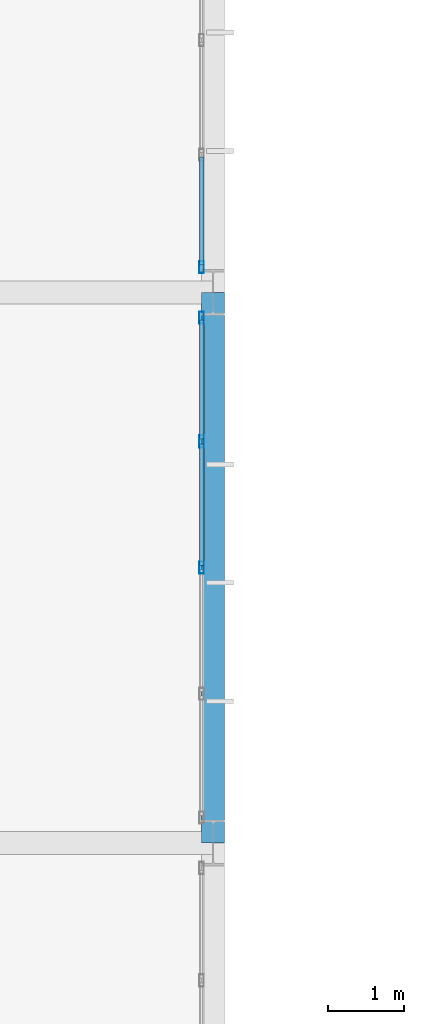
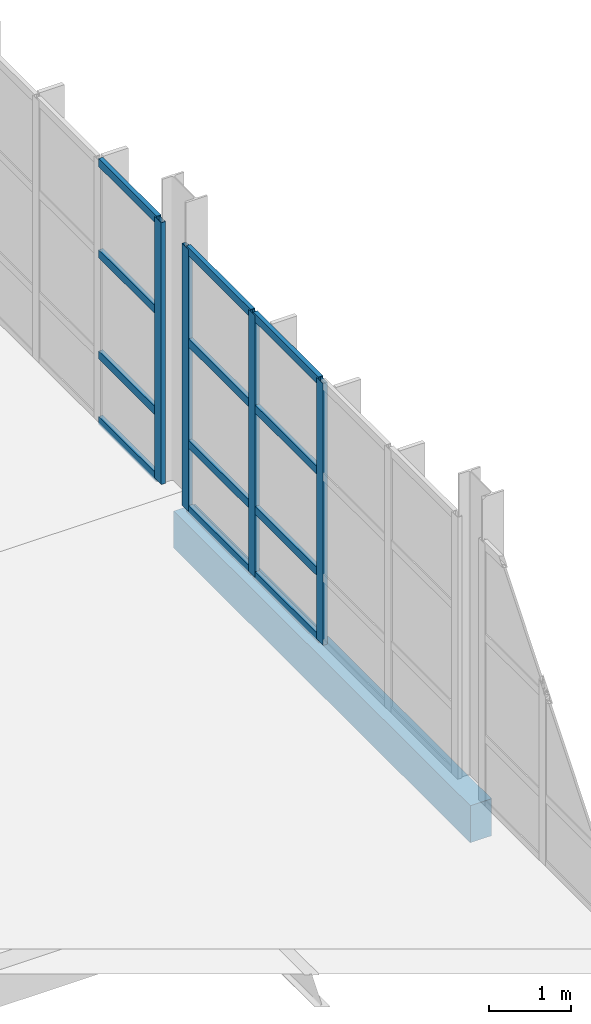
# One storey, part 86 of 130: 16 members, 1 beam, 2 elements without a shape of their own.
"""IFC4 building model written with IfcOpenShell, lengths in metres."""

import ifcopenshell
import ifcopenshell.guid

model = None  # the IFC model being written
_history = None  # IfcOwnerHistory: only IFC2X3 demands one
_inside = {}  # id of a spatial element -> (the spatial element, [elements in it])
_under = {}  # id of a project, library or spatial element -> (it, [spatial elements below it])
_declared = {}  # id of a project -> (the project, [libraries it declares])
_typed = {}  # id of a type object -> (the type object, [elements of that type])
_made_of = {}  # id of a material, layer set ... -> (it, [elements and type objects made of it])


def new_model(schema):
    """Start an empty IFC model of exactly this schema.

    Asked for "IFC4X3", IfcOpenShell would pick the latest addendum, in which some entities
    have other attributes; the version numbers below select the first issue.
    IFC2X3 requires an IfcOwnerHistory on every rooted entity: one is made here for all.
    """
    global model, _history
    if schema == "IFC4X3":
        model = ifcopenshell.file(schema_version=(4, 3, 0, 0))
    else:
        model = ifcopenshell.file(schema=schema)
    _inside.clear()
    _under.clear()
    _declared.clear()
    _typed.clear()
    _made_of.clear()
    _history = None
    if model.schema == "IFC2X3":
        org = make("IfcOrganization", Name="unknown")
        user = make(
            "IfcPersonAndOrganization",
            ThePerson=make("IfcPerson", FamilyName="unknown"),
            TheOrganization=org,
        )
        app = make(
            "IfcApplication",
            ApplicationDeveloper=org,
            Version="unknown",
            ApplicationFullName="unknown",
            ApplicationIdentifier="unknown",
        )
        _history = make(
            "IfcOwnerHistory",
            OwningUser=user,
            OwningApplication=app,
            ChangeAction="ADDED",
            CreationDate=0,
        )
    return model


def make(cls, **values):
    """One entity of the class cls with the attributes given. An attribute that is None is left unset."""
    return model.create_entity(
        cls, **{name: value for name, value in values.items() if value is not None}
    )


def rooted(cls, **values):
    """An entity with a GlobalId (a new one), such as an element, a storey or a relation."""
    return make(cls, GlobalId=ifcopenshell.guid.new(), OwnerHistory=_history, **values)


def si_unit(unit_type, name, prefix=None):
    """IfcSIUnit, for example si_unit("LENGTHUNIT", "METRE", prefix="MILLI")."""
    return make("IfcSIUnit", UnitType=unit_type, Prefix=prefix, Name=name)


def assignment(units):
    """IfcUnitAssignment: the units of a project."""
    return None if units is None else make("IfcUnitAssignment", Units=units)


def point(xyz):
    """IfcCartesianPoint."""
    return None if xyz is None else make("IfcCartesianPoint", Coordinates=xyz)


def direction(xyz):
    """IfcDirection."""
    return None if xyz is None else make("IfcDirection", DirectionRatios=xyz)


def frame(location, z_axis=None, x_axis=None):
    """IfcAxis2Placement3D, a coordinate frame: its origin and axes. An axis left out is left unset."""
    return make(
        "IfcAxis2Placement3D",
        Location=point(location),
        Axis=direction(z_axis),
        RefDirection=direction(x_axis),
    )


def frame_2d(location, x_axis=None):
    """IfcAxis2Placement2D, a coordinate frame in the plane: its origin and x axis."""
    return make(
        "IfcAxis2Placement2D", Location=point(location), RefDirection=direction(x_axis)
    )


def origin():
    """The frame at (0, 0, 0) with its axes left unset."""
    return frame((0.0, 0.0, 0.0))


def origin_2d():
    """The frame at (0, 0) in the plane with its x axis left unset."""
    return frame_2d((0.0, 0.0))


def place(relative_to, where):
    """IfcLocalPlacement: puts the frame where relative to a parent placement (None: the world)."""
    return make(
        "IfcLocalPlacement", PlacementRelTo=relative_to, RelativePlacement=where
    )


def context(
    kind, dimensions, precision=None, world=None, true_north=None, identifier=None
):
    """IfcGeometricRepresentationContext, for example the 3D "Model" context."""
    return make(
        "IfcGeometricRepresentationContext",
        ContextIdentifier=identifier,
        ContextType=kind,
        CoordinateSpaceDimension=dimensions,
        Precision=precision,
        WorldCoordinateSystem=world,
        TrueNorth=true_north,
    )


def subcontext(parent, identifier, kind, view, scale=None):
    """IfcGeometricRepresentationSubContext, for example "Body" below "Model"."""
    return make(
        "IfcGeometricRepresentationSubContext",
        ContextIdentifier=identifier,
        ContextType=kind,
        ParentContext=parent,
        TargetScale=scale,
        TargetView=view,
    )


def project(units=None, contexts=None):
    """IfcProject with its units and contexts."""
    return rooted(
        "IfcProject",
        Name="project",
        RepresentationContexts=contexts,
        UnitsInContext=assignment(units),
    )


def spatial(cls, under=None, at=None, **own):
    """A site, building, storey or space (cls), placed at a placement, below another one or the project."""
    s = rooted(cls, ObjectPlacement=at, **own)
    if under is not None:
        _under.setdefault(under.id(), (under, []))[1].append(s)
    return s


def profile(cls, at=None, kind="AREA", **sizes):
    """A parametric profile (cls). Its sizes go by their IFC names, for example OverallWidth=200.0."""
    return make(cls, ProfileType=kind, Position=at, **sizes)


def rectangle(**sizes):
    """IfcRectangleProfileDef."""
    return profile("IfcRectangleProfileDef", **sizes)


def hollow_rectangle(**sizes):
    """IfcRectangleHollowProfileDef."""
    return profile("IfcRectangleHollowProfileDef", **sizes)


def extrude(swept, where, along, depth):
    """IfcExtrudedAreaSolid: the profile swept, set in the frame where, extruded along a direction by depth."""
    return make(
        "IfcExtrudedAreaSolid",
        SweptArea=swept,
        Position=where,
        ExtrudedDirection=direction(along),
        Depth=depth,
    )


def shape(context_of_items, identifier, shape_type, items):
    """IfcShapeRepresentation: the items that make up one representation, for example the "Body"."""
    return make(
        "IfcShapeRepresentation",
        ContextOfItems=context_of_items,
        RepresentationIdentifier=identifier,
        RepresentationType=shape_type,
        Items=items,
    )


def material(Name=None, Category=None):
    """IfcMaterial."""
    return make("IfcMaterial", Name=Name, Category=Category)


def material_profile(
    of_material, cross_section, Name=None, Category=None, Priority=None
):
    """IfcMaterialProfile: a cross section and its material."""
    return make(
        "IfcMaterialProfile",
        Name=Name,
        Material=of_material,
        Profile=cross_section,
        Priority=Priority,
        Category=Category,
    )


def profile_set(profiles, Name=None, composite=None):
    """IfcMaterialProfileSet."""
    return make(
        "IfcMaterialProfileSet",
        Name=Name,
        MaterialProfiles=profiles,
        CompositeProfile=composite,
    )


def made_of(thing, what):
    """Note that an element or type object is made of a material, layer set ...; save() writes the relation."""
    if what is not None:
        _made_of.setdefault(what.id(), (what, []))[1].append(thing)
    return thing


def type_object(cls, material=None, **own):
    """A type object (cls), such as IfcWallType, which elements share."""
    return made_of(rooted(cls, **own), material)


def element(
    cls,
    number,
    at=None,
    inside=None,
    cuts=None,
    type_object=None,
    material=None,
    context=None,
    identifier="Body",
    shape_type=None,
    held_by="IfcProductDefinitionShape",
    body=None,
    shapes=None,
    **own,
):
    """One element of the class cls, such as IfcWall. Its Tag is "e" and its number.

    at: its placement. inside: the storey or other place that contains it. cuts: it is an
    opening in that element (IfcRelVoidsElement). A single representation is given by context,
    identifier, shape_type and body (its items); several are given by shapes. held_by: the class
    of the entity that holds the representations. save() writes the other relations.
    """
    e = rooted(cls, Tag="e%d" % number, ObjectPlacement=at, **own)
    if body is not None:
        shapes = [shape(context, identifier, shape_type, body)]
    if shapes is not None:
        e.Representation = make(held_by, Representations=shapes)
    if inside is not None:
        _inside.setdefault(inside.id(), (inside, []))[1].append(e)
    if cuts is not None:
        rooted(
            "IfcRelVoidsElement", RelatingBuildingElement=cuts, RelatedOpeningElement=e
        )
    if type_object is not None:
        _typed.setdefault(type_object.id(), (type_object, []))[1].append(e)
    return made_of(e, material)


def aggregate(whole, parts):
    """IfcRelAggregates: a whole, such as a stair, and the parts it consists of."""
    return rooted("IfcRelAggregates", RelatingObject=whole, RelatedObjects=parts)


def save(model, path):
    """Write the relations noted so far, then the file.

    IfcRelAggregates (storeys below a building ...), IfcRelContainedInSpatialStructure (elements
    in a storey), IfcRelDefinesByType, IfcRelAssociatesMaterial and IfcRelDeclares: one each for
    every whole, place, type object, material and project.
    """
    for whole, parts in _under.values():
        aggregate(whole, parts)
    for where, things in _inside.values():
        rooted(
            "IfcRelContainedInSpatialStructure",
            RelatedElements=things,
            RelatingStructure=where,
        )
    for kind, things in _typed.values():
        rooted("IfcRelDefinesByType", RelatedObjects=things, RelatingType=kind)
    for what, things in _made_of.values():
        rooted("IfcRelAssociatesMaterial", RelatedObjects=things, RelatingMaterial=what)
    for by, libraries in _declared.values():
        rooted("IfcRelDeclares", RelatingContext=by, RelatedDefinitions=libraries)
    model.write(path)


model = new_model("IFC4")

# Units and contexts
model_context = context("Model", 3, precision=1e-05, world=origin(), true_north=direction((0.0, 1.0)))
body_context = subcontext(model_context, "Body", "Model", "MODEL_VIEW")
ifc_project = project(units=[si_unit("LENGTHUNIT", "METRE"), si_unit("AREAUNIT", "SQUARE_METRE"), si_unit("VOLUMEUNIT", "CUBIC_METRE"), si_unit("PLANEANGLEUNIT", "RADIAN"), si_unit("MASSUNIT", "GRAM", prefix="KILO")], contexts=[model_context])

# Site, building, storey
site_placement = place(None, origin())
site = spatial("IfcSite", under=ifc_project, at=site_placement, CompositionType="ELEMENT")
building_placement = place(site_placement, origin())
building = spatial("IfcBuilding", under=site, at=building_placement, Name="Veltarok Museum of Natural Sciences", CompositionType="ELEMENT")
storey_placement = place(building_placement, frame((0.0, 0.0, 12.89990234375)))
storey = spatial("IfcBuildingStorey", under=building, at=storey_placement, Name="L02", CompositionType="ELEMENT", Elevation=12.89990234375)

# Curtain wall, members
ifc_material_1 = material(Name="Low-iron triple insulated glass", Category="glass")
curtain_wall_type_1 = type_object("IfcCurtainWallType", Name="Curtain Wall System CW-V5E-L02-C-660x388 (V5 East Lab L02 C-D 660x388cm)", PredefinedType="NOTDEFINED", material=ifc_material_1)
curtain_wall_1_placement = place(storey_placement, origin())
curtain_wall_1 = element("IfcCurtainWall", 1, at=curtain_wall_1_placement, inside=storey, type_object=curtain_wall_type_1, Name="Curtain Wall CW-V5E-L02-C-660x388 CW-0110", PredefinedType="NOTDEFINED")
ifc_material_2 = material(Name="Thermally broken anodised aluminium", Category="aluminium")
ifc_material_profile_1 = material_profile(ifc_material_2, hollow_rectangle(XDim=0.06005859375, YDim=0.1201171875, WallThickness=0.0048828125, at=origin_2d()), Name="CW TRANSOM 60x120x5")
ifc_profile_set_1 = profile_set([ifc_material_profile_1], Name="Thermally broken anodised aluminium")
member_type_1 = type_object("IfcMemberType", Name="Curtain Wall Horizontal Transom 60x120x5", PredefinedType="USERDEFINED", material=ifc_profile_set_1)
member_1_placement = place(storey_placement, frame((164.64990234375, 22.830078125, 0.030029296875), z_axis=(0.0, 1.0, 0.0), x_axis=(-1.0, 0.0, 0.0)))
member_1 = element("IfcMember", 2, at=member_1_placement, type_object=member_type_1, Name="CW-V5E-L02-C-660x388 transom 3.1", ObjectType="TRANSOM", PredefinedType="USERDEFINED", context=body_context, shape_type="SweptSolid", body=[
    extrude(hollow_rectangle(XDim=0.06005859375, YDim=0.1201171875, WallThickness=0.0048828125, at=origin_2d()), origin(), (0.0, 0.0, 1.0), 1.58984375),
])
member_2_placement = place(storey_placement, frame((164.64990234375, 22.830078125, 1.0), z_axis=(0.0, 1.0, 0.0), x_axis=(-1.0, 0.0, 0.0)))
member_2 = element("IfcMember", 3, at=member_2_placement, type_object=member_type_1, Name="CW-V5E-L02-C-660x388 transom 3.2", ObjectType="TRANSOM", PredefinedType="USERDEFINED", context=body_context, shape_type="SweptSolid", body=[
    extrude(hollow_rectangle(XDim=0.06005859375, YDim=0.1201171875, WallThickness=0.0048828125, at=origin_2d()), origin(), (0.0, 0.0, 1.0), 1.58984375),
])
member_3_placement = place(storey_placement, frame((164.64990234375, 22.830078125, 2.5), z_axis=(0.0, 1.0, 0.0), x_axis=(-1.0, 0.0, 0.0)))
member_3 = element("IfcMember", 4, at=member_3_placement, type_object=member_type_1, Name="CW-V5E-L02-C-660x388 transom 3.3", ObjectType="TRANSOM", PredefinedType="USERDEFINED", context=body_context, shape_type="SweptSolid", body=[
    extrude(hollow_rectangle(XDim=0.06005859375, YDim=0.1201171875, WallThickness=0.0048828125, at=origin_2d()), origin(), (0.0, 0.0, 1.0), 1.58984375),
])
member_4_placement = place(storey_placement, frame((164.64990234375, 22.830078125, 3.85009765625), z_axis=(0.0, 1.0, 0.0), x_axis=(-1.0, 0.0, 0.0)))
member_4 = element("IfcMember", 5, at=member_4_placement, type_object=member_type_1, Name="CW-V5E-L02-C-660x388 transom 3.4", ObjectType="TRANSOM", PredefinedType="USERDEFINED", context=body_context, shape_type="SweptSolid", body=[
    extrude(hollow_rectangle(XDim=0.06005859375, YDim=0.1201171875, WallThickness=0.0048828125, at=origin_2d()), origin(), (0.0, 0.0, 1.0), 1.58984375),
])
member_5_placement = place(storey_placement, frame((164.64990234375, 24.47998046875, 0.030029296875), z_axis=(0.0, 1.0, 0.0), x_axis=(-1.0, 0.0, 0.0)))
member_5 = element("IfcMember", 6, at=member_5_placement, type_object=member_type_1, Name="CW-V5E-L02-C-660x388 transom 4.1", ObjectType="TRANSOM", PredefinedType="USERDEFINED", context=body_context, shape_type="SweptSolid", body=[
    extrude(hollow_rectangle(XDim=0.06005859375, YDim=0.1201171875, WallThickness=0.0048828125, at=origin_2d()), origin(), (0.0, 0.0, 1.0), 1.56005859375),
])
member_6_placement = place(storey_placement, frame((164.64990234375, 24.47998046875, 1.0), z_axis=(0.0, 1.0, 0.0), x_axis=(-1.0, 0.0, 0.0)))
member_6 = element("IfcMember", 7, at=member_6_placement, type_object=member_type_1, Name="CW-V5E-L02-C-660x388 transom 4.2", ObjectType="TRANSOM", PredefinedType="USERDEFINED", context=body_context, shape_type="SweptSolid", body=[
    extrude(hollow_rectangle(XDim=0.06005859375, YDim=0.1201171875, WallThickness=0.0048828125, at=origin_2d()), origin(), (0.0, 0.0, 1.0), 1.56005859375),
])
member_7_placement = place(storey_placement, frame((164.64990234375, 24.47998046875, 2.5), z_axis=(0.0, 1.0, 0.0), x_axis=(-1.0, 0.0, 0.0)))
member_7 = element("IfcMember", 8, at=member_7_placement, type_object=member_type_1, Name="CW-V5E-L02-C-660x388 transom 4.3", ObjectType="TRANSOM", PredefinedType="USERDEFINED", context=body_context, shape_type="SweptSolid", body=[
    extrude(hollow_rectangle(XDim=0.06005859375, YDim=0.1201171875, WallThickness=0.0048828125, at=origin_2d()), origin(), (0.0, 0.0, 1.0), 1.56005859375),
])
member_8_placement = place(storey_placement, frame((164.64990234375, 24.47998046875, 3.85009765625), z_axis=(0.0, 1.0, 0.0), x_axis=(-1.0, 0.0, 0.0)))
member_8 = element("IfcMember", 9, at=member_8_placement, type_object=member_type_1, Name="CW-V5E-L02-C-660x388 transom 4.4", ObjectType="TRANSOM", PredefinedType="USERDEFINED", context=body_context, shape_type="SweptSolid", body=[
    extrude(hollow_rectangle(XDim=0.06005859375, YDim=0.1201171875, WallThickness=0.0048828125, at=origin_2d()), origin(), (0.0, 0.0, 1.0), 1.56005859375),
])

curtain_wall_type_2 = type_object("IfcCurtainWallType", Name="Curtain Wall System CW-V5E-L02-D-900x388 (V5 East Lab L02 D-E 900x388cm)", PredefinedType="NOTDEFINED", material=ifc_material_1)
curtain_wall_2_placement = place(storey_placement, origin())
curtain_wall_2 = element("IfcCurtainWall", 10, at=curtain_wall_2_placement, inside=storey, type_object=curtain_wall_type_2, Name="Curtain Wall CW-V5E-L02-D-900x388 CW-0111", PredefinedType="NOTDEFINED")
member_9_placement = place(storey_placement, frame((164.64990234375, 26.760009765625, 0.030029296875), z_axis=(0.0, 1.0, 0.0), x_axis=(-1.0, 0.0, 0.0)))
member_9 = element("IfcMember", 11, at=member_9_placement, type_object=member_type_1, Name="CW-V5E-L02-D-900x388 transom 1.1", ObjectType="TRANSOM", PredefinedType="USERDEFINED", context=body_context, shape_type="SweptSolid", body=[
    extrude(hollow_rectangle(XDim=0.06005859375, YDim=0.1201171875, WallThickness=0.0048828125, at=origin_2d()), origin(), (0.0, 0.0, 1.0), 1.409912109375),
])
member_10_placement = place(storey_placement, frame((164.64990234375, 26.760009765625, 1.0), z_axis=(0.0, 1.0, 0.0), x_axis=(-1.0, 0.0, 0.0)))
member_10 = element("IfcMember", 12, at=member_10_placement, type_object=member_type_1, Name="CW-V5E-L02-D-900x388 transom 1.2", ObjectType="TRANSOM", PredefinedType="USERDEFINED", context=body_context, shape_type="SweptSolid", body=[
    extrude(hollow_rectangle(XDim=0.06005859375, YDim=0.1201171875, WallThickness=0.0048828125, at=origin_2d()), origin(), (0.0, 0.0, 1.0), 1.409912109375),
])
member_11_placement = place(storey_placement, frame((164.64990234375, 26.760009765625, 2.5), z_axis=(0.0, 1.0, 0.0), x_axis=(-1.0, 0.0, 0.0)))
member_11 = element("IfcMember", 13, at=member_11_placement, type_object=member_type_1, Name="CW-V5E-L02-D-900x388 transom 1.3", ObjectType="TRANSOM", PredefinedType="USERDEFINED", context=body_context, shape_type="SweptSolid", body=[
    extrude(hollow_rectangle(XDim=0.06005859375, YDim=0.1201171875, WallThickness=0.0048828125, at=origin_2d()), origin(), (0.0, 0.0, 1.0), 1.409912109375),
])
member_12_placement = place(storey_placement, frame((164.64990234375, 26.760009765625, 3.85009765625), z_axis=(0.0, 1.0, 0.0), x_axis=(-1.0, 0.0, 0.0)))
member_12 = element("IfcMember", 14, at=member_12_placement, type_object=member_type_1, Name="CW-V5E-L02-D-900x388 transom 1.4", ObjectType="TRANSOM", PredefinedType="USERDEFINED", context=body_context, shape_type="SweptSolid", body=[
    extrude(hollow_rectangle(XDim=0.06005859375, YDim=0.1201171875, WallThickness=0.0048828125, at=origin_2d()), origin(), (0.0, 0.0, 1.0), 1.409912109375),
])

# Member
ifc_material_profile_2 = material_profile(ifc_material_2, hollow_rectangle(XDim=0.06005859375, YDim=0.159912109375, WallThickness=0.0048828125, at=origin_2d()), Name="CW MULLION 60x160x5")
ifc_profile_set_2 = profile_set([ifc_material_profile_2], Name="Thermally broken anodised aluminium")
member_type_2 = type_object("IfcMemberType", Name="Curtain Wall Vertical Mullion 60x160x5", PredefinedType="MULLION", material=ifc_profile_set_2)
member_13_placement = place(storey_placement, frame((164.64990234375, 22.800048828125, 0.0), z_axis=(0.0, 0.0, 1.0), x_axis=(-1.0, 0.0, 0.0)))
member_13 = element("IfcMember", 15, at=member_13_placement, type_object=member_type_2, Name="CW-V5E-L02-C-660x388 mullion 3", PredefinedType="MULLION", context=body_context, shape_type="SweptSolid", body=[
    extrude(hollow_rectangle(XDim=0.06005859375, YDim=0.159912109375, WallThickness=0.0048828125, at=origin_2d()), origin(), (0.0, 0.0, 1.0), 3.880126953125),
])

member_14_placement = place(storey_placement, frame((164.64990234375, 24.449951171875, 0.0), z_axis=(0.0, 0.0, 1.0), x_axis=(-1.0, 0.0, 0.0)))
member_14 = element("IfcMember", 16, at=member_14_placement, type_object=member_type_2, Name="CW-V5E-L02-C-660x388 mullion 4", PredefinedType="MULLION", context=body_context, shape_type="SweptSolid", body=[
    extrude(hollow_rectangle(XDim=0.06005859375, YDim=0.159912109375, WallThickness=0.0048828125, at=origin_2d()), origin(), (0.0, 0.0, 1.0), 3.880126953125),
])

member_15_placement = place(storey_placement, frame((164.64990234375, 26.070068359375, 0.0), z_axis=(0.0, 0.0, 1.0), x_axis=(-1.0, 0.0, 0.0)))
member_15 = element("IfcMember", 17, at=member_15_placement, type_object=member_type_2, Name="CW-V5E-L02-C-660x388 mullion 5", PredefinedType="MULLION", context=body_context, shape_type="SweptSolid", body=[
    extrude(hollow_rectangle(XDim=0.06005859375, YDim=0.159912109375, WallThickness=0.0048828125, at=origin_2d()), origin(), (0.0, 0.0, 1.0), 3.880126953125),
])

aggregate(curtain_wall_1, [member_13, member_14, member_15, member_1, member_2, member_3, member_4, member_5, member_6, member_7, member_8])

member_16_placement = place(storey_placement, frame((164.64990234375, 26.72998046875, 0.0), z_axis=(0.0, 0.0, 1.0), x_axis=(-1.0, 0.0, 0.0)))
member_16 = element("IfcMember", 18, at=member_16_placement, type_object=member_type_2, Name="CW-V5E-L02-D-900x388 mullion 1", PredefinedType="MULLION", context=body_context, shape_type="SweptSolid", body=[
    extrude(hollow_rectangle(XDim=0.06005859375, YDim=0.159912109375, WallThickness=0.0048828125, at=origin_2d()), origin(), (0.0, 0.0, 1.0), 3.880126953125),
])

aggregate(curtain_wall_2, [member_16, member_9, member_10, member_11, member_12])

# Beam
ifc_material_3 = material(Name="Precast concrete C40/50", Category="concrete")
ifc_material_profile_3 = material_profile(ifc_material_3, rectangle(XDim=0.300048828125, YDim=0.550048828125, at=origin_2d()), Name="RC 300x550")
ifc_profile_set_3 = profile_set([ifc_material_profile_3], Name="Precast concrete C40/50")
beam_type = type_object("IfcBeamType", Name="East Wing Precast Spandrel RC 300x550", PredefinedType="SPANDREL", material=ifc_profile_set_3)
beam_placement = place(storey_placement, frame((164.800048828125, 19.199951171875, -0.52490234375), z_axis=(0.0, 1.0, 0.0), x_axis=(-1.0, 0.0, 0.0)))
element("IfcBeam", 19, at=beam_placement, inside=storey, type_object=beam_type, Name="Beam BM-SP02 L02 20/C-D", PredefinedType="SPANDREL", context=body_context, shape_type="SweptSolid", body=[
    extrude(rectangle(XDim=0.300048828125, YDim=0.550048828125, at=origin_2d()), origin(), (0.0, 0.0, 1.0), 7.199951171875),
])

save(model, "model.ifc")
